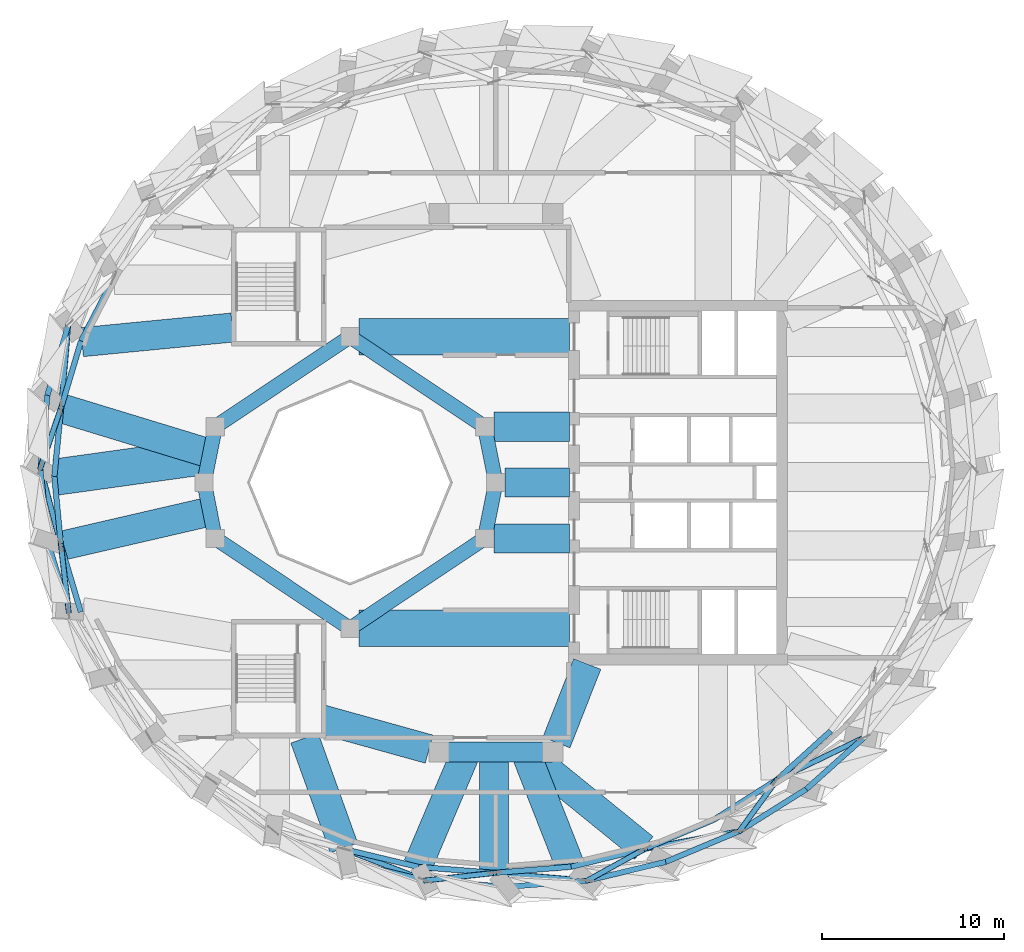
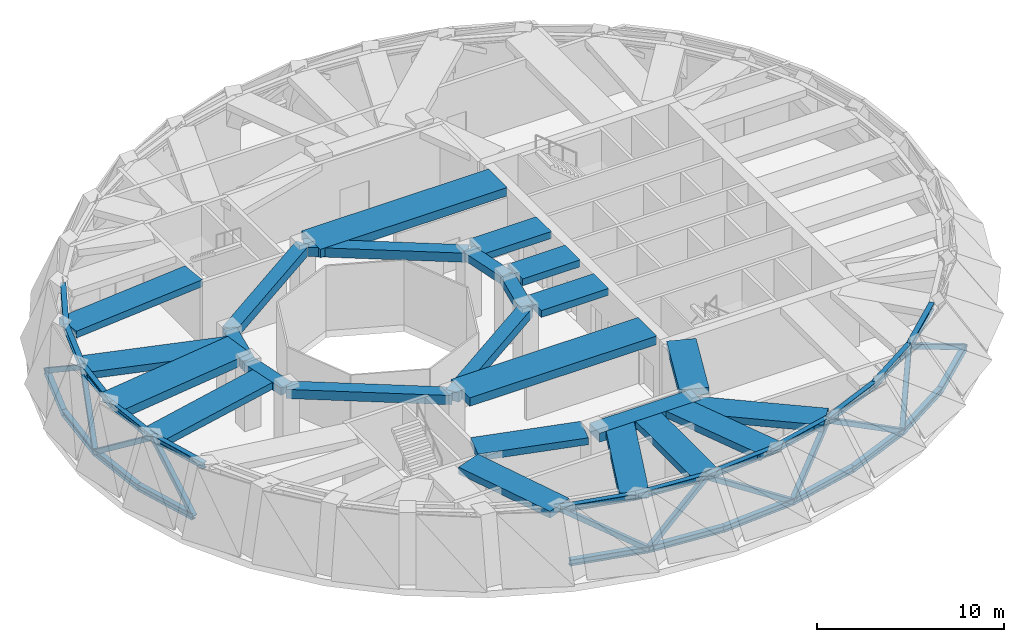
# One storey, part 2 of 14: 34 members, 25 beams.
"""IFC4 building model written with IfcOpenShell, lengths in metres."""

from ifc_helpers import new_model, si_unit, direction, frame, origin, origin_2d, place, context, subcontext, project, spatial, rectangle, hollow_rectangle, i_section, extrude, material, material_profile, profile_set, type_object, element, save


model = new_model("IFC4")

# Units and contexts
model_context = context("Model", 3, precision=1e-05, world=origin(), true_north=direction((0.0, 1.0)))
body_context = subcontext(model_context, "Body", "Model", "MODEL_VIEW")
ifc_project = project(units=[si_unit("LENGTHUNIT", "METRE"), si_unit("AREAUNIT", "SQUARE_METRE"), si_unit("VOLUMEUNIT", "CUBIC_METRE"), si_unit("PLANEANGLEUNIT", "RADIAN"), si_unit("MASSUNIT", "GRAM", prefix="KILO")], contexts=[model_context])

# Site, building, storey
site_placement = place(None, origin())
site = spatial("IfcSite", under=ifc_project, at=site_placement, CompositionType="ELEMENT")
building_placement = place(site_placement, origin())
building = spatial("IfcBuilding", under=site, at=building_placement, Name="Taillehof Tower", CompositionType="ELEMENT")
storey_placement = place(building_placement, frame((0.0, 0.0, 228.800048828125)))
storey = spatial("IfcBuildingStorey", under=building, at=storey_placement, Name="L65", CompositionType="ELEMENT", Elevation=228.800048828125)

# Beams
ifc_material_1 = material(Name="Concrete C50/60", Category="concrete")
ifc_material_profile_1 = material_profile(ifc_material_1, rectangle(XDim=0.800048828125, YDim=0.5, at=origin_2d()), Name="RC 800x500")
ifc_profile_set_1 = profile_set([ifc_material_profile_1], Name="Concrete C50/60")
beam_type_1 = type_object("IfcBeamType", Name="Atrium ring beam C50/60 800x500", PredefinedType="BEAM", material=ifc_profile_set_1)
for number, where, z_axis, x_axis, name in (
    (1, (0.0, 0.0, 3.969970703125), (-0.195063155143, 0.980790683839, 0.0), (-0.980790683839, -0.195063155143, 0.0), "Atrium ring beam AB01"),
    (2, (-15.39111328125, 3.0615234375, 3.969970703125), (-0.195063155143, -0.980790683839, 0.0), (0.980790683839, -0.195063155143, 0.0), "Atrium ring beam AB04"),
    (3, (-16.0, 0.0, 3.969970703125), (0.195063155143, -0.980790683839, 0.0), (0.980790683839, 0.195063155143, 0.0), "Atrium ring beam AB05"),
    (4, (-0.60888671875, -3.0615234375, 3.969970703125), (0.195063155143, 0.980790683839, 0.0), (-0.980790683839, 0.195063155143, 0.0), "Atrium ring beam AB08"),
):
    element("IfcBeam", number, at=place(storey_placement, frame(where, z_axis=z_axis, x_axis=x_axis)), inside=storey, type_object=beam_type_1, Name=name, PredefinedType="BEAM", context=body_context, shape_type="SweptSolid", body=[
        extrude(rectangle(XDim=0.800048828125, YDim=0.5, at=origin_2d()), origin(), (0.0, 0.0, 1.0), 3.12158203125),
    ])
ifc_material_2 = material(Name="Concrete C50/60", Category="concrete")
ifc_material_profile_2 = material_profile(ifc_material_2, rectangle(XDim=0.800048828125, YDim=0.60009765625, at=origin_2d()), Name="RC 800x600")
ifc_profile_set_2 = profile_set([ifc_material_profile_2], Name="Concrete C50/60")
beam_type_2 = type_object("IfcBeamType", Name="Atrium ring beam C50/60 800x600", PredefinedType="BEAM", material=ifc_profile_set_2)
for number, where, z_axis, x_axis, name in (
    (5, (-0.60888671875, 3.0615234375, 3.919921875), (-0.831475195687, 0.555561876804, 0.0), (-0.555561876804, -0.831475195687, 0.0), "Atrium ring beam AB02"),
    (6, (-8.0, 8.0, 3.919921875), (-0.831475195687, -0.555561876804, 0.0), (0.555561876804, -0.831475195687, 0.0), "Atrium ring beam AB03"),
    (7, (-15.39111328125, -3.0615234375, 3.919921875), (0.831475195687, -0.555561876804, 0.0), (0.555561876804, 0.831475195687, 0.0), "Atrium ring beam AB06"),
    (8, (-8.0, -8.0, 3.919921875), (0.831475195687, 0.555561876804, 0.0), (-0.555561876804, 0.831475195687, 0.0), "Atrium ring beam AB07"),
):
    element("IfcBeam", number, at=place(storey_placement, frame(where, z_axis=z_axis, x_axis=x_axis)), inside=storey, type_object=beam_type_2, Name=name, PredefinedType="BEAM", context=body_context, shape_type="SweptSolid", body=[
        extrude(rectangle(XDim=0.800048828125, YDim=0.60009765625, at=origin_2d()), origin(), (0.0, 0.0, 1.0), 8.88916015625),
    ])

# Members
ifc_material_3 = material(Name="Steel S460M", Category="steel")
ifc_material_profile_3 = material_profile(ifc_material_3, i_section(OverallWidth=0.300048828125, OverallDepth=0.39990234375, WebThickness=0.013427734375, FlangeThickness=0.02392578125, FilletRadius=0.027099609375, at=origin_2d()), Name="HEB 400")
ifc_profile_set_3 = profile_set([ifc_material_profile_3], Name="Steel S460M")
member_type_1 = type_object("IfcMemberType", Name="Belt truss chord HEB 400", PredefinedType="CHORD", material=ifc_profile_set_3)
member_1_placement = place(storey_placement, frame((-20.96630859375, 11.19580078125, 4.02001953125), z_axis=(-0.46161538792, -0.887080173172, 0.0), x_axis=(0.887080173172, -0.46161538792, 0.0)))
element("IfcMember", 9, at=member_1_placement, inside=storey, type_object=member_type_1, Name="Belt truss top chord BT16", PredefinedType="CHORD", context=body_context, shape_type="SweptSolid", body=[
    extrude(i_section(OverallWidth=0.300048828125, OverallDepth=0.39990234375, WebThickness=0.013427734375, FlangeThickness=0.02392578125, FilletRadius=0.027099609375, at=origin_2d()), origin(), (0.0, 0.0, 1.0), 3.863037109375),
])
member_2_placement = place(storey_placement, frame((-23.447265625, 8.666748046875, 0.89990234375), z_axis=(-0.284281661083, -0.958740808129, 0.0), x_axis=(0.958740808129, -0.284281661083, 0.0)))
element("IfcMember", 10, at=member_2_placement, inside=storey, type_object=member_type_1, Name="Belt truss bottom chord BB17", PredefinedType="CHORD", context=body_context, shape_type="SweptSolid", body=[
    extrude(i_section(OverallWidth=0.300048828125, OverallDepth=0.39990234375, WebThickness=0.013427734375, FlangeThickness=0.02392578125, FilletRadius=0.027099609375, at=origin_2d()), origin(), (0.0, 0.0, 1.0), 4.04150390625),
])
member_3_placement = place(storey_placement, frame((-22.74951171875, 7.76904296875, 4.02001953125), z_axis=(-0.286942859372, -0.95794769975, 0.0), x_axis=(0.95794769975, -0.286942859372, 0.0)))
element("IfcMember", 11, at=member_3_placement, inside=storey, type_object=member_type_1, Name="Belt truss top chord BT17", PredefinedType="CHORD", context=body_context, shape_type="SweptSolid", body=[
    extrude(i_section(OverallWidth=0.300048828125, OverallDepth=0.39990234375, WebThickness=0.013427734375, FlangeThickness=0.02392578125, FilletRadius=0.027099609375, at=origin_2d()), origin(), (0.0, 0.0, 1.0), 3.81591796875),
])
member_4_placement = place(storey_placement, frame((-24.59619140625, 4.7919921875, 0.89990234375), z_axis=(-0.095713566074, -0.995408917616, 0.0), x_axis=(0.995408917616, -0.095713566074, 0.0)))
element("IfcMember", 12, at=member_4_placement, inside=storey, type_object=member_type_1, Name="Belt truss bottom chord BB18", PredefinedType="CHORD", context=body_context, shape_type="SweptSolid", body=[
    extrude(i_section(OverallWidth=0.300048828125, OverallDepth=0.39990234375, WebThickness=0.013427734375, FlangeThickness=0.02392578125, FilletRadius=0.027099609375, at=origin_2d()), origin(), (0.0, 0.0, 1.0), 4.01220703125),
])
member_5_placement = place(storey_placement, frame((-23.844482421875, 4.113525390625, 4.02001953125), z_axis=(-0.098260451499, -0.995160732581, 0.0), x_axis=(0.995160732581, -0.098260451499, 0.0)))
element("IfcMember", 13, at=member_5_placement, inside=storey, type_object=member_type_1, Name="Belt truss top chord BT18", PredefinedType="CHORD", context=body_context, shape_type="SweptSolid", body=[
    extrude(i_section(OverallWidth=0.300048828125, OverallDepth=0.39990234375, WebThickness=0.013427734375, FlangeThickness=0.02392578125, FilletRadius=0.027099609375, at=origin_2d()), origin(), (0.0, 0.0, 1.0), 3.79150390625),
])
member_6_placement = place(storey_placement, frame((-24.980224609375, 0.798095703125, 0.89990234375), z_axis=(0.09776175994, -0.995209846361, 0.0), x_axis=(0.995209846361, 0.09776175994, 0.0)))
element("IfcMember", 14, at=member_6_placement, inside=storey, type_object=member_type_1, Name="Belt truss bottom chord BB19", PredefinedType="CHORD", context=body_context, shape_type="SweptSolid", body=[
    extrude(i_section(OverallWidth=0.300048828125, OverallDepth=0.39990234375, WebThickness=0.013427734375, FlangeThickness=0.02392578125, FilletRadius=0.027099609375, at=origin_2d()), origin(), (0.0, 0.0, 1.0), 4.0107421875),
])
member_7_placement = place(storey_placement, frame((-24.217041015625, 0.34033203125, 4.02001953125), z_axis=(0.095437723186, -0.995435402722, 0.0), x_axis=(0.995435402722, 0.095437723186, 0.0)))
element("IfcMember", 15, at=member_7_placement, inside=storey, type_object=member_type_1, Name="Belt truss top chord BT19", PredefinedType="CHORD", context=body_context, shape_type="SweptSolid", body=[
    extrude(i_section(OverallWidth=0.300048828125, OverallDepth=0.39990234375, WebThickness=0.013427734375, FlangeThickness=0.02392578125, FilletRadius=0.027099609375, at=origin_2d()), origin(), (0.0, 0.0, 1.0), 3.793701171875),
])
member_8_placement = place(storey_placement, frame((-24.588134765625, -3.193359375, 0.89990234375), z_axis=(0.286188026091, -0.958173477885, 0.0), x_axis=(0.958173477885, 0.286188026091, 0.0)))
element("IfcMember", 16, at=member_8_placement, inside=storey, type_object=member_type_1, Name="Belt truss bottom chord BB20", PredefinedType="CHORD", context=body_context, shape_type="SweptSolid", body=[
    extrude(i_section(OverallWidth=0.300048828125, OverallDepth=0.39990234375, WebThickness=0.013427734375, FlangeThickness=0.02392578125, FilletRadius=0.027099609375, at=origin_2d()), origin(), (0.0, 0.0, 1.0), 4.036865234375),
])
member_9_placement = place(storey_placement, frame((-23.85498046875, -3.43603515625, 4.02001953125), z_axis=(0.284240561162, -0.958752993941, 0.0), x_axis=(0.958752993941, 0.284240561162, 0.0)))
element("IfcMember", 17, at=member_9_placement, inside=storey, type_object=member_type_1, Name="Belt truss top chord BT20", PredefinedType="CHORD", context=body_context, shape_type="SweptSolid", body=[
    extrude(i_section(OverallWidth=0.300048828125, OverallDepth=0.39990234375, WebThickness=0.013427734375, FlangeThickness=0.02392578125, FilletRadius=0.027099609375, at=origin_2d()), origin(), (0.0, 0.0, 1.0), 3.822265625),
])
member_10_placement = place(storey_placement, frame((-8.173828125, -20.7880859375, 0.89990234375), z_axis=(0.971951452175, -0.235181577967, 0.0), x_axis=(0.235181577967, 0.971951452175, 0.0)))
element("IfcMember", 18, at=member_10_placement, inside=storey, type_object=member_type_1, Name="Belt truss bottom chord BB26", PredefinedType="CHORD", context=body_context, shape_type="SweptSolid", body=[
    extrude(i_section(OverallWidth=0.300048828125, OverallDepth=0.39990234375, WebThickness=0.013427734375, FlangeThickness=0.02392578125, FilletRadius=0.027099609375, at=origin_2d()), origin(), (0.0, 0.0, 1.0), 4.42529296875),
])
member_11_placement = place(storey_placement, frame((-8.3115234375, -20.11328125, 4.02001953125), z_axis=(0.97241800833, -0.23324497224, 0.0), x_axis=(0.23324497224, 0.97241800833, 0.0)))
element("IfcMember", 19, at=member_11_placement, inside=storey, type_object=member_type_1, Name="Belt truss top chord BT26", PredefinedType="CHORD", context=body_context, shape_type="SweptSolid", body=[
    extrude(i_section(OverallWidth=0.300048828125, OverallDepth=0.39990234375, WebThickness=0.013427734375, FlangeThickness=0.02392578125, FilletRadius=0.027099609375, at=origin_2d()), origin(), (0.0, 0.0, 1.0), 4.184814453125),
])
member_12_placement = place(storey_placement, frame((-3.87255859375, -21.828857421875, 0.89990234375), z_axis=(0.996822769214, -0.079651533418, 0.0), x_axis=(0.079651533418, 0.996822769214, 0.0)))
element("IfcMember", 20, at=member_12_placement, inside=storey, type_object=member_type_1, Name="Belt truss bottom chord BB27", PredefinedType="CHORD", context=body_context, shape_type="SweptSolid", body=[
    extrude(i_section(OverallWidth=0.300048828125, OverallDepth=0.39990234375, WebThickness=0.013427734375, FlangeThickness=0.02392578125, FilletRadius=0.027099609375, at=origin_2d()), origin(), (0.0, 0.0, 1.0), 4.45361328125),
])
member_13_placement = place(storey_placement, frame((-4.2421875, -21.08935546875, 4.02001953125), z_axis=(0.997040808035, -0.076874099105, 0.0), x_axis=(0.076874099105, 0.997040808035, 0.0)))
element("IfcMember", 21, at=member_13_placement, inside=storey, type_object=member_type_1, Name="Belt truss top chord BT27", PredefinedType="CHORD", context=body_context, shape_type="SweptSolid", body=[
    extrude(i_section(OverallWidth=0.300048828125, OverallDepth=0.39990234375, WebThickness=0.013427734375, FlangeThickness=0.02392578125, FilletRadius=0.027099609375, at=origin_2d()), origin(), (0.0, 0.0, 1.0), 4.204833984375),
])
member_14_placement = place(storey_placement, frame((0.56689453125, -22.18359375, 0.89990234375), z_axis=(0.997025088357, 0.077077708754, 0.0), x_axis=(-0.077077708754, 0.997025088357, 0.0)))
element("IfcMember", 22, at=member_14_placement, inside=storey, type_object=member_type_1, Name="Belt truss bottom chord BB28", PredefinedType="CHORD", context=body_context, shape_type="SweptSolid", body=[
    extrude(i_section(OverallWidth=0.300048828125, OverallDepth=0.39990234375, WebThickness=0.013427734375, FlangeThickness=0.02392578125, FilletRadius=0.027099609375, at=origin_2d()), origin(), (0.0, 0.0, 1.0), 4.45654296875),
])
member_15_placement = place(storey_placement, frame((-0.0498046875, -21.41259765625, 4.02001953125), z_axis=(0.996759973192, 0.080433549233, 0.0), x_axis=(-0.080433549233, 0.996759973192, 0.0)))
element("IfcMember", 23, at=member_15_placement, inside=storey, type_object=member_type_1, Name="Belt truss top chord BT28", PredefinedType="CHORD", context=body_context, shape_type="SweptSolid", body=[
    extrude(i_section(OverallWidth=0.300048828125, OverallDepth=0.39990234375, WebThickness=0.013427734375, FlangeThickness=0.02392578125, FilletRadius=0.027099609375, at=origin_2d()), origin(), (0.0, 0.0, 1.0), 4.200927734375),
])
member_16_placement = place(storey_placement, frame((5.01025390625, -21.840087890625, 0.89990234375), z_axis=(0.972550997018, 0.23268983261, 0.0), x_axis=(-0.23268983261, 0.972550997018, 0.0)))
element("IfcMember", 24, at=member_16_placement, inside=storey, type_object=member_type_1, Name="Belt truss bottom chord BB29", PredefinedType="CHORD", context=body_context, shape_type="SweptSolid", body=[
    extrude(i_section(OverallWidth=0.300048828125, OverallDepth=0.39990234375, WebThickness=0.013427734375, FlangeThickness=0.02392578125, FilletRadius=0.027099609375, at=origin_2d()), origin(), (0.0, 0.0, 1.0), 4.43408203125),
])
member_17_placement = place(storey_placement, frame((4.137451171875, -21.07470703125, 4.02001953125), z_axis=(0.971584027331, 0.236694904539, 0.0), x_axis=(-0.236694904539, 0.971584027331, 0.0)))
element("IfcMember", 25, at=member_17_placement, inside=storey, type_object=member_type_1, Name="Belt truss top chord BT29", PredefinedType="CHORD", context=body_context, shape_type="SweptSolid", body=[
    extrude(i_section(OverallWidth=0.300048828125, OverallDepth=0.39990234375, WebThickness=0.013427734375, FlangeThickness=0.02392578125, FilletRadius=0.027099609375, at=origin_2d()), origin(), (0.0, 0.0, 1.0), 4.17333984375),
])
member_18_placement = place(storey_placement, frame((9.322509765625, -20.808349609375, 0.89990234375), z_axis=(0.922852914894, 0.38515256389, 0.0), x_axis=(-0.38515256389, 0.922852914894, 0.0)))
element("IfcMember", 26, at=member_18_placement, inside=storey, type_object=member_type_1, Name="Belt truss bottom chord BB30", PredefinedType="CHORD", context=body_context, shape_type="SweptSolid", body=[
    extrude(i_section(OverallWidth=0.300048828125, OverallDepth=0.39990234375, WebThickness=0.013427734375, FlangeThickness=0.02392578125, FilletRadius=0.027099609375, at=origin_2d()), origin(), (0.0, 0.0, 1.0), 4.388427734375),
])
member_19_placement = place(storey_placement, frame((8.192138671875, -20.0869140625, 4.02001953125), z_axis=(0.92106850067, 0.389400586894, 0.0), x_axis=(-0.389400586894, 0.92106850067, 0.0)))
element("IfcMember", 27, at=member_19_placement, inside=storey, type_object=member_type_1, Name="Belt truss top chord BT30", PredefinedType="CHORD", context=body_context, shape_type="SweptSolid", body=[
    extrude(i_section(OverallWidth=0.300048828125, OverallDepth=0.39990234375, WebThickness=0.013427734375, FlangeThickness=0.02392578125, FilletRadius=0.027099609375, at=origin_2d()), origin(), (0.0, 0.0, 1.0), 4.12548828125),
])
member_20_placement = place(storey_placement, frame((13.372314453125, -19.1181640625, 0.89990234375), z_axis=(0.847188473517, 0.531292471563, 0.0), x_axis=(-0.531292471563, 0.847188473517, 0.0)))
element("IfcMember", 28, at=member_20_placement, inside=storey, type_object=member_type_1, Name="Belt truss bottom chord BB31", PredefinedType="CHORD", context=body_context, shape_type="SweptSolid", body=[
    extrude(i_section(OverallWidth=0.300048828125, OverallDepth=0.39990234375, WebThickness=0.013427734375, FlangeThickness=0.02392578125, FilletRadius=0.027099609375, at=origin_2d()), origin(), (0.0, 0.0, 1.0), 4.32421875),
])
member_21_placement = place(storey_placement, frame((11.991943359375, -18.48046875, 4.02001953125), z_axis=(0.84450194801, 0.535552480909, 0.0), x_axis=(-0.535552480909, 0.84450194801, 0.0)))
element("IfcMember", 29, at=member_21_placement, inside=storey, type_object=member_type_1, Name="Belt truss top chord BT31", PredefinedType="CHORD", context=body_context, shape_type="SweptSolid", body=[
    extrude(i_section(OverallWidth=0.300048828125, OverallDepth=0.39990234375, WebThickness=0.013427734375, FlangeThickness=0.02392578125, FilletRadius=0.027099609375, at=origin_2d()), origin(), (0.0, 0.0, 1.0), 4.061767578125),
])
member_22_placement = place(storey_placement, frame((17.03564453125, -16.82080078125, 0.89990234375), z_axis=(0.744851992442, 0.667229727571, 0.0), x_axis=(-0.667229727571, 0.744851992442, 0.0)))
element("IfcMember", 30, at=member_22_placement, inside=storey, type_object=member_type_1, Name="Belt truss bottom chord BB32", PredefinedType="CHORD", context=body_context, shape_type="SweptSolid", body=[
    extrude(i_section(OverallWidth=0.300048828125, OverallDepth=0.39990234375, WebThickness=0.013427734375, FlangeThickness=0.02392578125, FilletRadius=0.027099609375, at=origin_2d()), origin(), (0.0, 0.0, 1.0), 4.249267578125),
])
member_23_placement = place(storey_placement, frame((15.422119140625, -16.30517578125, 4.02001953125), z_axis=(0.741300877944, 0.671172860268, 0.0), x_axis=(-0.671172860268, 0.741300877944, 0.0)))
element("IfcMember", 31, at=member_23_placement, inside=storey, type_object=member_type_1, Name="Belt truss top chord BT32", PredefinedType="CHORD", context=body_context, shape_type="SweptSolid", body=[
    extrude(i_section(OverallWidth=0.300048828125, OverallDepth=0.39990234375, WebThickness=0.013427734375, FlangeThickness=0.02392578125, FilletRadius=0.027099609375, at=origin_2d()), origin(), (0.0, 0.0, 1.0), 3.98974609375),
])
ifc_material_4 = material(Name="Steel S460M", Category="steel")
ifc_material_profile_4 = material_profile(ifc_material_4, hollow_rectangle(XDim=0.300048828125, YDim=0.300048828125, WallThickness=0.012451171875, InnerFilletRadius=0.012451171875, OuterFilletRadius=0.018798828125, at=origin_2d()), Name="RHS 300x300x12.5")
ifc_profile_set_4 = profile_set([ifc_material_profile_4], Name="Steel S460M")
member_type_2 = type_object("IfcMemberType", Name="Belt truss diagonal RHS 300x300x12.5", PredefinedType="BRACE", material=ifc_profile_set_4)
member_24_placement = place(storey_placement, frame((-23.447265625, 8.666748046875, 0.89990234375), z_axis=(-0.071777997167, -0.822777902374, 0.56381241782), x_axis=(0.996216296294, -0.086908520862, 0.0)))
element("IfcMember", 32, at=member_24_placement, inside=storey, type_object=member_type_2, Name="Belt truss diagonal BX17", PredefinedType="BRACE", context=body_context, shape_type="SweptSolid", body=[
    extrude(hollow_rectangle(XDim=0.300048828125, YDim=0.300048828125, WallThickness=0.012451171875, InnerFilletRadius=0.012451171875, OuterFilletRadius=0.018798828125, at=origin_2d()), origin(), (0.0, 0.0, 1.0), 5.533935546875),
])
member_25_placement = place(storey_placement, frame((-23.844482421875, 4.113525390625, 4.02001953125), z_axis=(-0.242046912266, -0.70657718585, -0.664952609364), x_axis=(0.946031402355, -0.324074969349, 0.0)))
element("IfcMember", 33, at=member_25_placement, inside=storey, type_object=member_type_2, Name="Belt truss diagonal BX18", PredefinedType="BRACE", context=body_context, shape_type="SweptSolid", body=[
    extrude(hollow_rectangle(XDim=0.300048828125, YDim=0.300048828125, WallThickness=0.012451171875, InnerFilletRadius=0.012451171875, OuterFilletRadius=0.018798828125, at=origin_2d()), origin(), (0.0, 0.0, 1.0), 4.692138671875),
])
member_26_placement = place(storey_placement, frame((-24.980224609375, 0.798095703125, 0.89990234375), z_axis=(0.209208234772, -0.787220311488, 0.580100073852), x_axis=(0.966453793785, 0.256840542902, 0.0)))
element("IfcMember", 34, at=member_26_placement, inside=storey, type_object=member_type_2, Name="Belt truss diagonal BX19", PredefinedType="BRACE", context=body_context, shape_type="SweptSolid", body=[
    extrude(hollow_rectangle(XDim=0.300048828125, YDim=0.300048828125, WallThickness=0.012451171875, InnerFilletRadius=0.012451171875, OuterFilletRadius=0.018798828125, at=origin_2d()), origin(), (0.0, 0.0, 1.0), 5.378662109375),
])
member_27_placement = place(storey_placement, frame((-23.85498046875, -3.43603515625, 4.02001953125), z_axis=(0.087911519428, -0.755001823013, -0.649802902425), x_axis=(0.99328916345, 0.115657415557, 0.0)))
element("IfcMember", 35, at=member_27_placement, inside=storey, type_object=member_type_2, Name="Belt truss diagonal BX20", PredefinedType="BRACE", context=body_context, shape_type="SweptSolid", body=[
    extrude(hollow_rectangle(XDim=0.300048828125, YDim=0.300048828125, WallThickness=0.012451171875, InnerFilletRadius=0.012451171875, OuterFilletRadius=0.018798828125, at=origin_2d()), origin(), (0.0, 0.0, 1.0), 4.8017578125),
])
member_28_placement = place(storey_placement, frame((-8.3115234375, -20.11328125, 4.02001953125), z_axis=(0.78005441146, -0.30147631445, -0.548294762867), x_axis=(0.360494640202, 0.932761284781, 0.0)))
element("IfcMember", 36, at=member_28_placement, inside=storey, type_object=member_type_2, Name="Belt truss diagonal BX26", PredefinedType="BRACE", context=body_context, shape_type="SweptSolid", body=[
    extrude(hollow_rectangle(XDim=0.300048828125, YDim=0.300048828125, WallThickness=0.012451171875, InnerFilletRadius=0.012451171875, OuterFilletRadius=0.018798828125, at=origin_2d()), origin(), (0.0, 0.0, 1.0), 5.690673828125),
])
member_29_placement = place(storey_placement, frame((-3.87255859375, -21.828857421875, 0.89990234375), z_axis=(0.771968744873, 0.084059695364, 0.630077951173), x_axis=(-0.108250152374, 0.994123686727, 0.0)))
element("IfcMember", 37, at=member_29_placement, inside=storey, type_object=member_type_2, Name="Belt truss diagonal BX27", PredefinedType="BRACE", context=body_context, shape_type="SweptSolid", body=[
    extrude(hollow_rectangle(XDim=0.300048828125, YDim=0.300048828125, WallThickness=0.012451171875, InnerFilletRadius=0.012451171875, OuterFilletRadius=0.018798828125, at=origin_2d()), origin(), (0.0, 0.0, 1.0), 4.951904296875),
])
member_30_placement = place(storey_placement, frame((-0.0498046875, -21.41259765625, 4.02001953125), z_axis=(0.848997477538, -0.071726072719, -0.523506116131), x_axis=(0.084183365851, 0.996450280202, 0.0)))
element("IfcMember", 38, at=member_30_placement, inside=storey, type_object=member_type_2, Name="Belt truss diagonal BX28", PredefinedType="BRACE", context=body_context, shape_type="SweptSolid", body=[
    extrude(hollow_rectangle(XDim=0.300048828125, YDim=0.300048828125, WallThickness=0.012451171875, InnerFilletRadius=0.012451171875, OuterFilletRadius=0.018798828125, at=origin_2d()), origin(), (0.0, 0.0, 1.0), 5.9599609375),
])
member_31_placement = place(storey_placement, frame((5.01025390625, -21.840087890625, 0.89990234375), z_axis=(0.664435276853, 0.366094508024, 0.651537085719), x_axis=(-0.482581608315, 0.875851009771, 0.0)))
element("IfcMember", 39, at=member_31_placement, inside=storey, type_object=member_type_2, Name="Belt truss diagonal BX29", PredefinedType="BRACE", context=body_context, shape_type="SweptSolid", body=[
    extrude(hollow_rectangle(XDim=0.300048828125, YDim=0.300048828125, WallThickness=0.012451171875, InnerFilletRadius=0.012451171875, OuterFilletRadius=0.018798828125, at=origin_2d()), origin(), (0.0, 0.0, 1.0), 4.788818359375),
])
member_32_placement = place(storey_placement, frame((8.192138671875, -20.0869140625, 4.02001953125), z_axis=(0.845830874495, 0.158179701668, -0.509459825434), x_axis=(-0.183824198951, 0.982959136424, 0.0)))
element("IfcMember", 40, at=member_32_placement, inside=storey, type_object=member_type_2, Name="Belt truss diagonal BX30", PredefinedType="BRACE", context=body_context, shape_type="SweptSolid", body=[
    extrude(hollow_rectangle(XDim=0.300048828125, YDim=0.300048828125, WallThickness=0.012451171875, InnerFilletRadius=0.012451171875, OuterFilletRadius=0.018798828125, at=origin_2d()), origin(), (0.0, 0.0, 1.0), 6.124267578125),
])
member_33_placement = place(storey_placement, frame((13.372314453125, -19.1181640625, 0.89990234375), z_axis=(0.438520003498, 0.601789838055, 0.667494717092), x_axis=(-0.808189756497, 0.588922165904, 0.0)))
element("IfcMember", 41, at=member_33_placement, inside=storey, type_object=member_type_2, Name="Belt truss diagonal BX31", PredefinedType="BRACE", context=body_context, shape_type="SweptSolid", body=[
    extrude(hollow_rectangle(XDim=0.300048828125, YDim=0.300048828125, WallThickness=0.012451171875, InnerFilletRadius=0.012451171875, OuterFilletRadius=0.018798828125, at=origin_2d()), origin(), (0.0, 0.0, 1.0), 4.67431640625),
])
member_34_placement = place(storey_placement, frame((15.422119140625, -16.30517578125, 4.02001953125), z_axis=(0.775693341051, 0.376532081609, -0.50648142332), x_axis=(-0.436685068626, 0.89961444566, 0.0)))
element("IfcMember", 42, at=member_34_placement, inside=storey, type_object=member_type_2, Name="Belt truss diagonal BX32", PredefinedType="BRACE", context=body_context, shape_type="SweptSolid", body=[
    extrude(hollow_rectangle(XDim=0.300048828125, YDim=0.300048828125, WallThickness=0.012451171875, InnerFilletRadius=0.012451171875, OuterFilletRadius=0.018798828125, at=origin_2d()), origin(), (0.0, 0.0, 1.0), 6.160400390625),
])

# Beams
ifc_material_5 = material(Name="Concrete C50/60", Category="concrete")
ifc_material_profile_5 = material_profile(ifc_material_5, rectangle(XDim=1.10009765625, YDim=0.60009765625, at=origin_2d()), Name="RC 1100x600")
ifc_profile_set_5 = profile_set([ifc_material_profile_5], Name="Concrete C50/60")
beam_type_3 = type_object("IfcBeamType", Name="Mid-ring beam C50/60 1100x600", PredefinedType="BEAM", material=ifc_profile_set_5)
beam_1_placement = place(storey_placement, frame((-3.125732421875, -14.772216796875, 3.919921875), z_axis=(1.0, 0.0, 0.0), x_axis=(0.0, 1.0, 0.0)))
element("IfcBeam", 43, at=beam_1_placement, inside=storey, type_object=beam_type_3, Name="Mid-ring beam MB02", PredefinedType="BEAM", context=body_context, shape_type="SweptSolid", body=[
    extrude(rectangle(XDim=1.10009765625, YDim=0.60009765625, at=origin_2d()), origin(), (0.0, 0.0, 1.0), 6.25146484375),
])
ifc_material_6 = material(Name="Concrete C50/60", Category="concrete")
ifc_material_profile_6 = material_profile(ifc_material_6, rectangle(XDim=1.60009765625, YDim=0.449951171875, at=origin_2d()), Name="RC 1600x450")
ifc_profile_set_6 = profile_set([ifc_material_profile_6], Name="Concrete C50/60")
beam_type_4 = type_object("IfcBeamType", Name="Radial band beam C50/60 1600x450", PredefinedType="BEAM", material=ifc_profile_set_6)
beam_2_placement = place(storey_placement, frame((-22.69970703125, 7.704833984375, 3.994873046875), z_axis=(0.995330223431, 0.096528474169, 0.0), x_axis=(-0.096528474169, 0.995330223431, 0.0)))
element("IfcBeam", 44, at=beam_2_placement, inside=storey, type_object=beam_type_4, Name="Radial band beam RB17", PredefinedType="BEAM", context=body_context, shape_type="SweptSolid", body=[
    extrude(rectangle(XDim=1.60009765625, YDim=0.449951171875, at=origin_2d()), origin(), (0.0, 0.0, 1.0), 8.288330078125),
])
beam_3_placement = place(storey_placement, frame((-23.78466796875, 4.0595703125, 3.994873046875), z_axis=(0.956552302924, -0.291560785721, 0.0), x_axis=(0.291560785721, 0.956552302924, 0.0)))
element("IfcBeam", 45, at=beam_3_placement, inside=storey, type_object=beam_type_4, Name="Radial band beam RB18", PredefinedType="BEAM", context=body_context, shape_type="SweptSolid", body=[
    extrude(rectangle(XDim=1.60009765625, YDim=0.449951171875, at=origin_2d()), origin(), (0.0, 0.0, 1.0), 8.468994140625),
])
beam_4_placement = place(storey_placement, frame((-23.78466796875, -3.45947265625, 3.994873046875), z_axis=(0.974400103511, 0.224820902672, 0.0), x_axis=(-0.224820902672, 0.974400103511, 0.0)))
element("IfcBeam", 46, at=beam_4_placement, inside=storey, type_object=beam_type_4, Name="Radial band beam RB20", PredefinedType="BEAM", context=body_context, shape_type="SweptSolid", body=[
    extrude(rectangle(XDim=1.60009765625, YDim=0.449951171875, at=origin_2d()), origin(), (0.0, 0.0, 1.0), 8.31396484375),
])
beam_5_placement = place(storey_placement, frame((-8.32568359375, -20.04443359375, 3.994873046875), z_axis=(-0.338473667275, 0.940975863963, 0.0), x_axis=(-0.940975863963, -0.338473667275, 0.0)))
element("IfcBeam", 47, at=beam_5_placement, inside=storey, type_object=beam_type_4, Name="Radial band beam RB26", PredefinedType="BEAM", context=body_context, shape_type="SweptSolid", body=[
    extrude(rectangle(XDim=1.60009765625, YDim=0.449951171875, at=origin_2d()), origin(), (0.0, 0.0, 1.0), 6.401611328125),
])
beam_6_placement = place(storey_placement, frame((-4.276123046875, -21.02099609375, 3.994873046875), z_axis=(0.390474101739, 0.920613912491, 0.0), x_axis=(-0.920613912491, 0.390474101739, 0.0)))
element("IfcBeam", 48, at=beam_6_placement, inside=storey, type_object=beam_type_4, Name="Radial band beam RB27", PredefinedType="BEAM", context=body_context, shape_type="SweptSolid", body=[
    extrude(rectangle(XDim=1.60009765625, YDim=0.449951171875, at=origin_2d()), origin(), (0.0, 0.0, 1.0), 6.78759765625),
])
beam_7_placement = place(storey_placement, frame((-0.10009765625, -21.35009765625, 3.994873046875), z_axis=(0.0, 1.0, 0.0), x_axis=(-1.0, 0.0, 0.0)))
element("IfcBeam", 49, at=beam_7_placement, inside=storey, type_object=beam_type_4, Name="Radial band beam RB28", PredefinedType="BEAM", context=body_context, shape_type="SweptSolid", body=[
    extrude(rectangle(XDim=1.60009765625, YDim=0.449951171875, at=origin_2d()), origin(), (0.0, 0.0, 1.0), 6.577880859375),
])
beam_8_placement = place(storey_placement, frame((4.076171875, -21.02099609375, 3.994873046875), z_axis=(-0.365079492969, 0.93097634976, 0.0), x_axis=(-0.93097634976, -0.365079492969, 0.0)))
element("IfcBeam", 50, at=beam_8_placement, inside=storey, type_object=beam_type_4, Name="Radial band beam RB29", PredefinedType="BEAM", context=body_context, shape_type="SweptSolid", body=[
    extrude(rectangle(XDim=1.60009765625, YDim=0.449951171875, at=origin_2d()), origin(), (0.0, 0.0, 1.0), 6.712158203125),
])
beam_9_placement = place(storey_placement, frame((8.12548828125, -20.04443359375, 3.994873046875), z_axis=(-0.776630228088, 0.629956735673, 0.0), x_axis=(-0.629956735673, -0.776630228088, 0.0)))
element("IfcBeam", 51, at=beam_9_placement, inside=storey, type_object=beam_type_4, Name="Radial band beam RB30", PredefinedType="BEAM", context=body_context, shape_type="SweptSolid", body=[
    extrude(rectangle(XDim=1.60009765625, YDim=0.449951171875, at=origin_2d()), origin(), (0.0, 0.0, 1.0), 8.256103515625),
])
beam_10_placement = place(storey_placement, frame((0.5, 0.0, 3.994873046875), z_axis=(1.0, 0.0, 0.0), x_axis=(0.0, 1.0, 0.0)))
element("IfcBeam", 52, at=beam_10_placement, inside=storey, type_object=beam_type_4, Name="Inner band beam IB101", PredefinedType="BEAM", context=body_context, shape_type="SweptSolid", body=[
    extrude(rectangle(XDim=1.60009765625, YDim=0.449951171875, at=origin_2d()), origin(), (0.0, 0.0, 1.0), 3.550048828125),
])
for number, where, z_axis, x_axis, name in (
    (53, (-0.10888671875, 3.0615234375, 3.994873046875), (1.0, 0.0, 0.0), (0.0, 1.0, 0.0), "Inner band beam IB102"),
    (54, (-0.10888671875, -3.0615234375, 3.994873046875), (1.0, 0.0, 0.0), (0.0, 1.0, 0.0), "Inner band beam IB116"),
):
    element("IfcBeam", number, at=place(storey_placement, frame(where, z_axis=z_axis, x_axis=x_axis)), inside=storey, type_object=beam_type_4, Name=name, PredefinedType="BEAM", context=body_context, shape_type="SweptSolid", body=[
        extrude(rectangle(XDim=1.60009765625, YDim=0.449951171875, at=origin_2d()), origin(), (0.0, 0.0, 1.0), 4.158935546875),
    ])
beam_11_placement = place(storey_placement, frame((-3.655517578125, -14.624755859375, 3.994873046875), z_axis=(-0.963459369536, 0.267854518821, 0.0), x_axis=(-0.267854518821, -0.963459369536, 0.0)))
element("IfcBeam", 55, at=beam_11_placement, inside=storey, type_object=beam_type_4, Name="Inner band beam IB214", PredefinedType="BEAM", context=body_context, shape_type="SweptSolid", body=[
    extrude(rectangle(XDim=1.60009765625, YDim=0.449951171875, at=origin_2d()), origin(), (0.0, 0.0, 1.0), 6.096923828125),
])
beam_12_placement = place(storey_placement, frame((3.32666015625, -14.26025390625, 3.994873046875), z_axis=(0.365588707223, 0.930776502255, 0.0), x_axis=(-0.930776502255, 0.365588707223, 0.0)))
element("IfcBeam", 56, at=beam_12_placement, inside=storey, type_object=beam_type_4, Name="Inner band beam IB215", PredefinedType="BEAM", context=body_context, shape_type="SweptSolid", body=[
    extrude(rectangle(XDim=1.60009765625, YDim=0.449951171875, at=origin_2d()), origin(), (0.0, 0.0, 1.0), 4.627197265625),
])
ifc_material_7 = material(Name="Concrete C50/60", Category="concrete")
ifc_material_profile_7 = material_profile(ifc_material_7, rectangle(XDim=2.0, YDim=0.550048828125, at=origin_2d()), Name="RC 2000x550")
ifc_profile_set_7 = profile_set([ifc_material_profile_7], Name="Concrete C50/60")
beam_type_5 = type_object("IfcBeamType", Name="Radial band beam C50/60 2000x550", PredefinedType="BEAM", material=ifc_profile_set_7)
beam_13_placement = place(storey_placement, frame((-24.14990234375, 0.300048828125, 3.945068359375), z_axis=(0.990515351696, 0.137402103528, 0.0), x_axis=(-0.137402103528, 0.990515351696, 0.0)))
element("IfcBeam", 57, at=beam_13_placement, inside=storey, type_object=beam_type_5, Name="Radial band beam RB19", PredefinedType="BEAM", context=body_context, shape_type="SweptSolid", body=[
    extrude(rectangle(XDim=2.0, YDim=0.550048828125, at=origin_2d()), origin(), (0.0, 0.0, 1.0), 8.5234375),
])
for number, where, z_axis, x_axis, name in (
    (58, (-7.5, 8.0, 3.945068359375), (1.0, 0.0, 0.0), (0.0, 1.0, 0.0), "Inner band beam IB105"),
    (59, (-7.5, -8.0, 3.945068359375), (1.0, 0.0, 0.0), (0.0, 1.0, 0.0), "Inner band beam IB113"),
):
    element("IfcBeam", number, at=place(storey_placement, frame(where, z_axis=z_axis, x_axis=x_axis)), inside=storey, type_object=beam_type_5, Name=name, PredefinedType="BEAM", context=body_context, shape_type="SweptSolid", body=[
        extrude(rectangle(XDim=2.0, YDim=0.550048828125, at=origin_2d()), origin(), (0.0, 0.0, 1.0), 11.550048828125),
    ])

save(model, "model.ifc")
